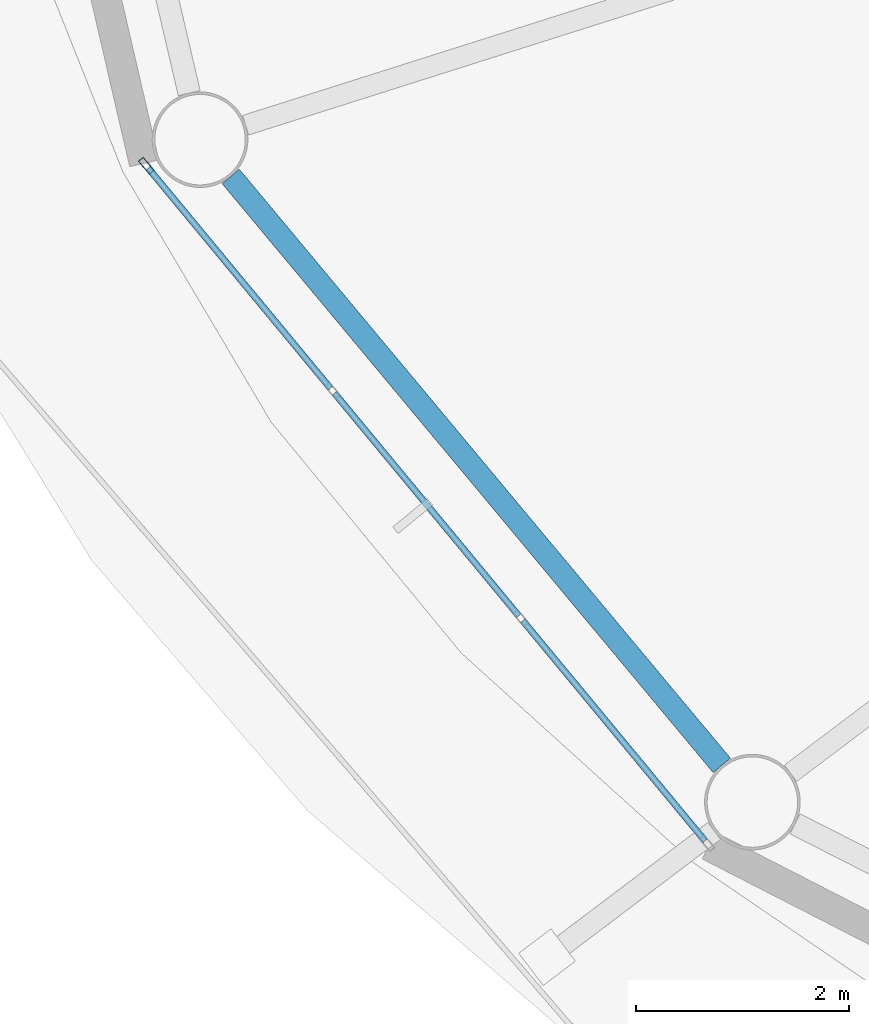
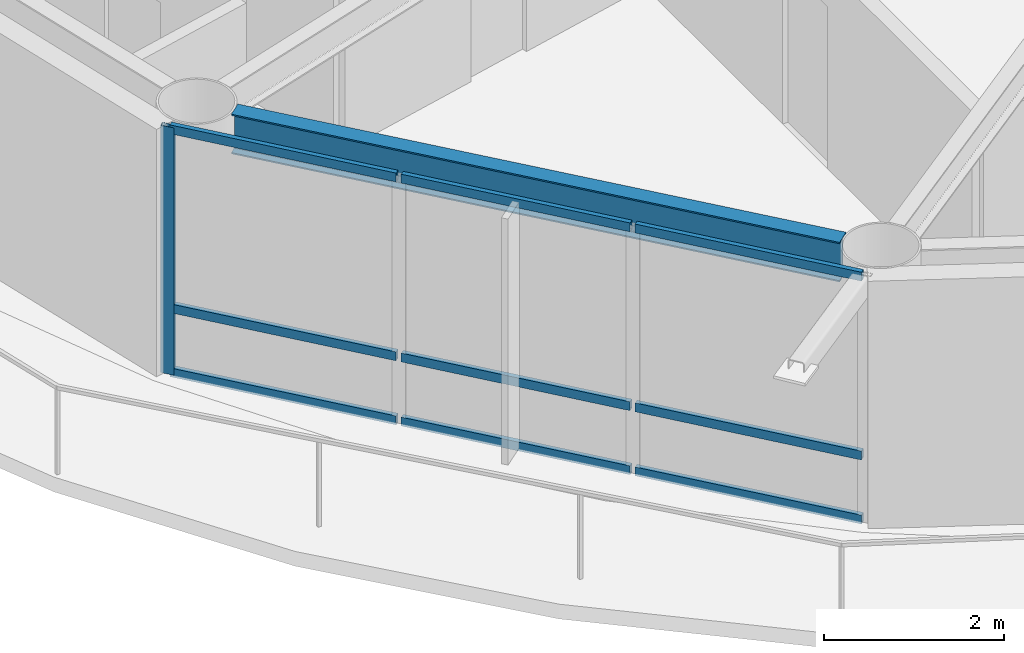
# One storey, part 3 of 22: 10 members, 1 beam, 1 element without a shape of its own.
"""IFC4 building model written with IfcOpenShell, lengths in metres."""

from ifc_helpers import new_model, si_unit, direction, frame, origin, origin_2d, place, context, subcontext, project, spatial, hollow_rectangle, i_section, extrude, material, layer, layer_set, material_profile, profile_set, type_object, element, aggregate, save


model = new_model("IFC4")

# Units and contexts
model_context = context("Model", 3, precision=1e-05, world=origin(), true_north=direction((0.0, 1.0)))
body_context = subcontext(model_context, "Body", "Model", "MODEL_VIEW")
ifc_project = project(units=[si_unit("LENGTHUNIT", "METRE"), si_unit("AREAUNIT", "SQUARE_METRE"), si_unit("VOLUMEUNIT", "CUBIC_METRE"), si_unit("PLANEANGLEUNIT", "RADIAN"), si_unit("MASSUNIT", "GRAM", prefix="KILO")], contexts=[model_context])

# Site, building, storey
site_placement = place(None, origin())
site = spatial("IfcSite", under=ifc_project, at=site_placement, CompositionType="ELEMENT")
building_placement = place(site_placement, origin())
building = spatial("IfcBuilding", under=site, at=building_placement, Name="Sarneth Arch Tower", CompositionType="ELEMENT")
storey_placement = place(building_placement, frame((0.0, 0.0, 213.60009765625)))
storey = spatial("IfcBuildingStorey", under=building, at=storey_placement, Name="L54", CompositionType="ELEMENT", Elevation=213.60009765625)

# Beam
ifc_material_1 = material(Name="Steel S355", Category="steel")
ifc_material_profile_1 = material_profile(ifc_material_1, i_section(OverallWidth=0.2109375, OverallDepth=0.5390625, WebThickness=0.01171875, FlangeThickness=0.018798828125, FilletRadius=0.01806640625, at=origin_2d()), Name="W530x109")
ifc_profile_set_1 = profile_set([ifc_material_profile_1], Name="Steel S355")
beam_type = type_object("IfcBeamType", Name="BM-RAD-530B", PredefinedType="BEAM", material=ifc_profile_set_1)
beam_placement = place(storey_placement, frame((25.119384765625, 34.306884765625, 3.09033203125), z_axis=(0.640390876881, -0.768049168222, 0.0), x_axis=(0.768049168222, 0.640390876881, 0.0)))
element("IfcBeam", 1, at=beam_placement, inside=storey, type_object=beam_type, Name="L54 Perimeter spandrel beam 10", PredefinedType="BEAM", context=body_context, shape_type="SweptSolid", body=[
    extrude(i_section(OverallWidth=0.2109375, OverallDepth=0.5390625, WebThickness=0.01171875, FlangeThickness=0.018798828125, FilletRadius=0.01806640625, at=origin_2d()), origin(), (0.0, 0.0, 1.0), 7.2099609375),
])

# Curtain wall, members
ifc_material_2 = material(Name="Anodised aluminium Type AA25 and solar-control low-e laminated IGU", Category="aluminium")
ifc_layer = layer(ifc_material_2, 0.179931640625)
ifc_layer_set = layer_set([ifc_layer], Name="Anodised aluminium Type AA25 and solar-control low-e laminated IGU")
curtain_wall_type = type_object("IfcCurtainWallType", Name="CW-RES-HIGH", PredefinedType="NOTDEFINED", material=ifc_layer_set)
curtain_wall_placement = place(storey_placement, origin())
curtain_wall = element("IfcCurtainWall", 2, at=curtain_wall_placement, inside=storey, type_object=curtain_wall_type, Name="L54 Unitised curtain wall facet 10", PredefinedType="NOTDEFINED")
ifc_material_3 = material(Name="Anodised Aluminium 6063-T6", Category="aluminium")
ifc_material_profile_2 = material_profile(ifc_material_3, hollow_rectangle(XDim=0.06005859375, YDim=0.159912109375, WallThickness=0.00390625, at=origin_2d()), Name="AL-MULL-160x60x4")
ifc_profile_set_2 = profile_set([ifc_material_profile_2], Name="Anodised Aluminium 6063-T6")
member_type_1 = type_object("IfcMemberType", Name="CW-MULLION", PredefinedType="MULLION", material=ifc_profile_set_2)
member_1_placement = place(storey_placement, frame((24.325439453125, 34.407470703125, 0.0), z_axis=(0.0, 0.0, 1.0), x_axis=(0.770359245933, 0.637610094184, 0.0)))
member_1 = element("IfcMember", 3, at=member_1_placement, type_object=member_type_1, Name="CW-SYS-6 mullion 1", PredefinedType="MULLION", context=body_context, shape_type="SweptSolid", body=[
    extrude(hollow_rectangle(XDim=0.06005859375, YDim=0.159912109375, WallThickness=0.00390625, at=origin_2d()), origin(), (0.0, 0.0, 1.0), 3.35986328125),
])
ifc_material_4 = material(Name="Anodised Aluminium 6063-T6", Category="aluminium")
ifc_material_profile_3 = material_profile(ifc_material_4, hollow_rectangle(XDim=0.06005859375, YDim=0.1201171875, WallThickness=0.00390625, at=origin_2d()), Name="AL-TRAN-120x60x4")
ifc_profile_set_3 = profile_set([ifc_material_profile_3], Name="Anodised Aluminium 6063-T6")
member_type_2 = type_object("IfcMemberType", Name="CW-TRANSOM", PredefinedType="USERDEFINED", material=ifc_profile_set_3)
member_2_placement = place(storey_placement, frame((24.344482421875, 34.38427734375, 0.02978515625), z_axis=(0.637651400067, -0.770325056059, 0.0), x_axis=(0.770325056059, 0.637651400067, 0.0)))
member_2 = element("IfcMember", 4, at=member_2_placement, type_object=member_type_2, Name="CW-SYS-6 transom 1.1", ObjectType="TRANSOM", PredefinedType="USERDEFINED", context=body_context, shape_type="SweptSolid", body=[
    extrude(hollow_rectangle(XDim=0.06005859375, YDim=0.1201171875, WallThickness=0.00390625, at=origin_2d()), origin(), (0.0, 0.0, 1.0), 2.6865234375),
])
member_3_placement = place(storey_placement, frame((24.344482421875, 34.38427734375, 0.89990234375), z_axis=(0.637651400067, -0.770325056059, 0.0), x_axis=(0.770325056059, 0.637651400067, 0.0)))
member_3 = element("IfcMember", 5, at=member_3_placement, type_object=member_type_2, Name="CW-SYS-6 transom 1.2", ObjectType="TRANSOM", PredefinedType="USERDEFINED", context=body_context, shape_type="SweptSolid", body=[
    extrude(hollow_rectangle(XDim=0.06005859375, YDim=0.1201171875, WallThickness=0.00390625, at=origin_2d()), origin(), (0.0, 0.0, 1.0), 2.6865234375),
])
member_4_placement = place(storey_placement, frame((24.344482421875, 34.38427734375, 3.329833984375), z_axis=(0.637651400067, -0.770325056059, 0.0), x_axis=(0.770325056059, 0.637651400067, 0.0)))
member_4 = element("IfcMember", 6, at=member_4_placement, type_object=member_type_2, Name="CW-SYS-6 transom 1.3", ObjectType="TRANSOM", PredefinedType="USERDEFINED", context=body_context, shape_type="SweptSolid", body=[
    extrude(hollow_rectangle(XDim=0.06005859375, YDim=0.1201171875, WallThickness=0.00390625, at=origin_2d()), origin(), (0.0, 0.0, 1.0), 2.6865234375),
])
member_5_placement = place(storey_placement, frame((26.095703125, 32.268310546875, 0.02978515625), z_axis=(0.637617371902, -0.770353222261, 0.0), x_axis=(0.770353222261, 0.637617371902, 0.0)))
member_5 = element("IfcMember", 7, at=member_5_placement, type_object=member_type_2, Name="CW-SYS-6 transom 2.1", ObjectType="TRANSOM", PredefinedType="USERDEFINED", context=body_context, shape_type="SweptSolid", body=[
    extrude(hollow_rectangle(XDim=0.06005859375, YDim=0.1201171875, WallThickness=0.00390625, at=origin_2d()), origin(), (0.0, 0.0, 1.0), 2.716552734375),
])
member_6_placement = place(storey_placement, frame((26.095703125, 32.268310546875, 0.89990234375), z_axis=(0.637617371902, -0.770353222261, 0.0), x_axis=(0.770353222261, 0.637617371902, 0.0)))
member_6 = element("IfcMember", 8, at=member_6_placement, type_object=member_type_2, Name="CW-SYS-6 transom 2.2", ObjectType="TRANSOM", PredefinedType="USERDEFINED", context=body_context, shape_type="SweptSolid", body=[
    extrude(hollow_rectangle(XDim=0.06005859375, YDim=0.1201171875, WallThickness=0.00390625, at=origin_2d()), origin(), (0.0, 0.0, 1.0), 2.716552734375),
])
member_7_placement = place(storey_placement, frame((26.095703125, 32.268310546875, 3.329833984375), z_axis=(0.637617371902, -0.770353222261, 0.0), x_axis=(0.770353222261, 0.637617371902, 0.0)))
member_7 = element("IfcMember", 9, at=member_7_placement, type_object=member_type_2, Name="CW-SYS-6 transom 2.3", ObjectType="TRANSOM", PredefinedType="USERDEFINED", context=body_context, shape_type="SweptSolid", body=[
    extrude(hollow_rectangle(XDim=0.06005859375, YDim=0.1201171875, WallThickness=0.00390625, at=origin_2d()), origin(), (0.0, 0.0, 1.0), 2.716552734375),
])
member_8_placement = place(storey_placement, frame((27.8662109375, 30.12939453125, 0.02978515625), z_axis=(0.637606765719, -0.770362000821, 0.0), x_axis=(0.770362000821, 0.637606765719, 0.0)))
member_8 = element("IfcMember", 10, at=member_8_placement, type_object=member_type_2, Name="CW-SYS-6 transom 3.1", ObjectType="TRANSOM", PredefinedType="USERDEFINED", context=body_context, shape_type="SweptSolid", body=[
    extrude(hollow_rectangle(XDim=0.06005859375, YDim=0.1201171875, WallThickness=0.00390625, at=origin_2d()), origin(), (0.0, 0.0, 1.0), 2.686767578125),
])
member_9_placement = place(storey_placement, frame((27.8662109375, 30.12939453125, 0.89990234375), z_axis=(0.637606765719, -0.770362000821, 0.0), x_axis=(0.770362000821, 0.637606765719, 0.0)))
member_9 = element("IfcMember", 11, at=member_9_placement, type_object=member_type_2, Name="CW-SYS-6 transom 3.2", ObjectType="TRANSOM", PredefinedType="USERDEFINED", context=body_context, shape_type="SweptSolid", body=[
    extrude(hollow_rectangle(XDim=0.06005859375, YDim=0.1201171875, WallThickness=0.00390625, at=origin_2d()), origin(), (0.0, 0.0, 1.0), 2.686767578125),
])
member_10_placement = place(storey_placement, frame((27.8662109375, 30.12939453125, 3.329833984375), z_axis=(0.637606765719, -0.770362000821, 0.0), x_axis=(0.770362000821, 0.637606765719, 0.0)))
member_10 = element("IfcMember", 12, at=member_10_placement, type_object=member_type_2, Name="CW-SYS-6 transom 3.3", ObjectType="TRANSOM", PredefinedType="USERDEFINED", context=body_context, shape_type="SweptSolid", body=[
    extrude(hollow_rectangle(XDim=0.06005859375, YDim=0.1201171875, WallThickness=0.00390625, at=origin_2d()), origin(), (0.0, 0.0, 1.0), 2.686767578125),
])
aggregate(curtain_wall, [member_1, member_2, member_3, member_4, member_5, member_6, member_7, member_8, member_9, member_10])

save(model, "model.ifc")
